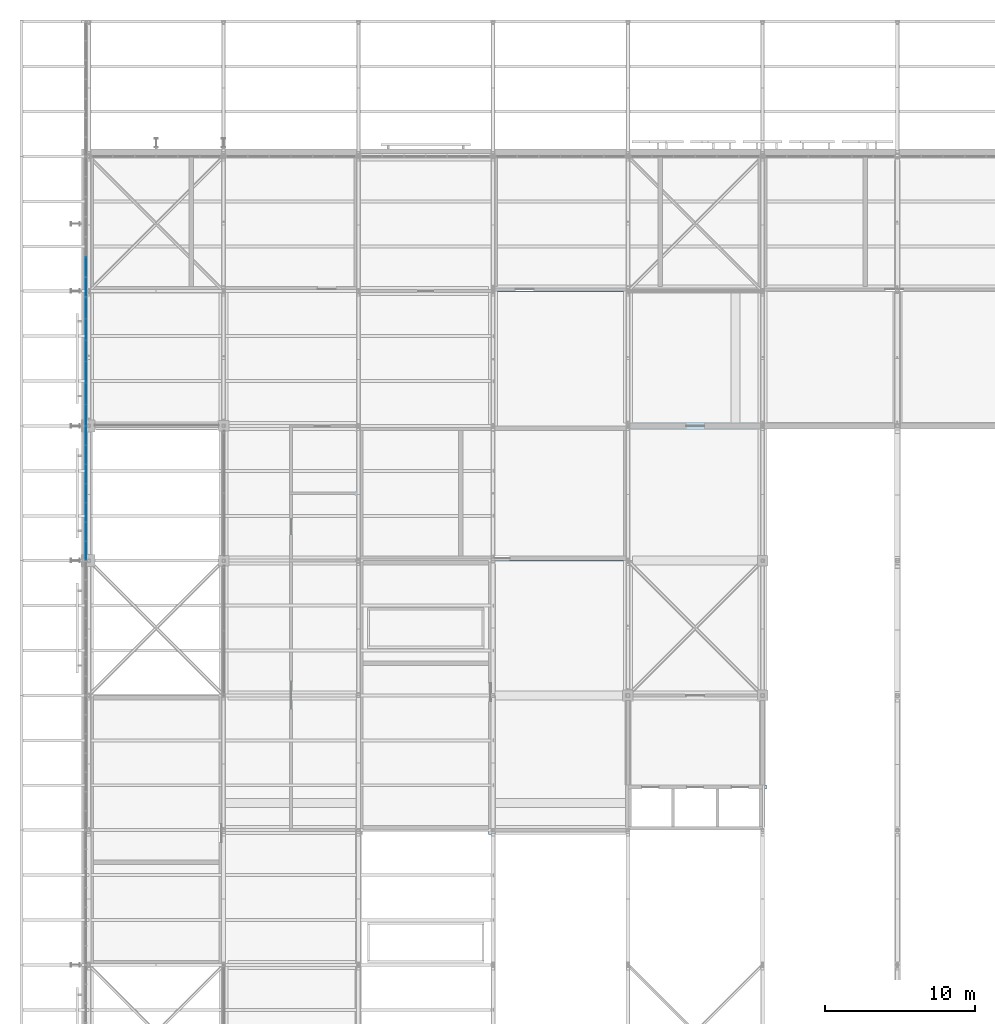
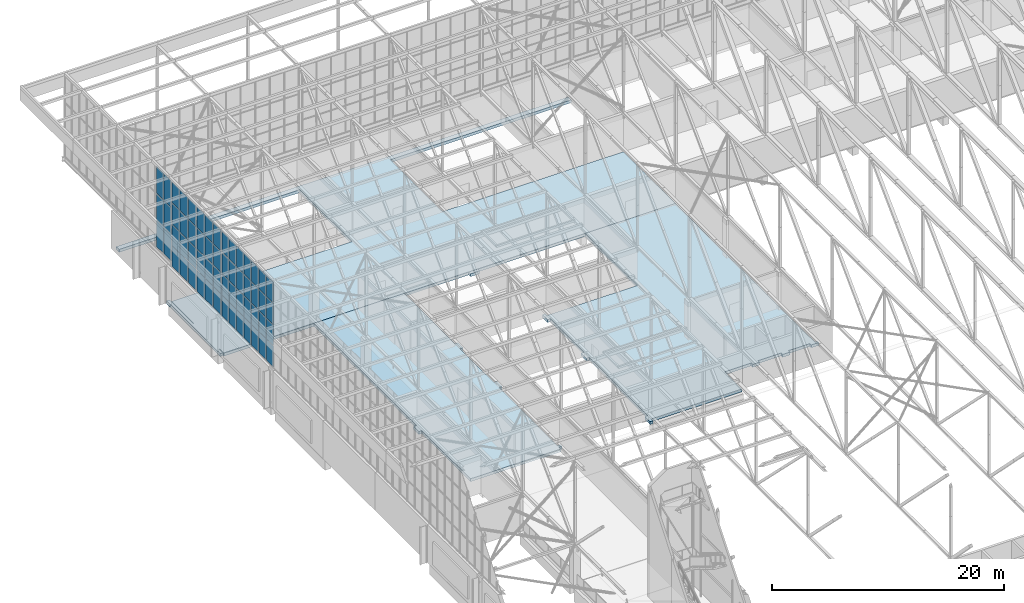
# One storey, part 150 of 646: 58 plates, 2 slabs, 3 elements without a shape of their own.
"""IFC4 building model written with IfcOpenShell, lengths in metres."""

from ifc_helpers import new_model, si_unit, direction, frame, origin, origin_2d, place, context, subcontext, project, spatial, polyline, rectangle, outline, extrude, material, layer, layer_set, type_object, element, aggregate, save


model = new_model("IFC4")

# Units and contexts
model_context = context("Model", 3, precision=1e-05, world=origin(), true_north=direction((0.0, 1.0)))
body_context = subcontext(model_context, "Body", "Model", "MODEL_VIEW")
ifc_project = project(units=[si_unit("LENGTHUNIT", "METRE"), si_unit("AREAUNIT", "SQUARE_METRE"), si_unit("VOLUMEUNIT", "CUBIC_METRE"), si_unit("PLANEANGLEUNIT", "RADIAN"), si_unit("MASSUNIT", "GRAM", prefix="KILO")], contexts=[model_context])

# Site, building, storey
site_placement = place(None, origin())
site = spatial("IfcSite", under=ifc_project, at=site_placement, CompositionType="ELEMENT")
building_placement = place(site_placement, origin())
building = spatial("IfcBuilding", under=site, at=building_placement, Name="Silverbay Arena", CompositionType="ELEMENT")
storey_placement = place(building_placement, frame((0.0, 0.0, 33.5)))
storey = spatial("IfcBuildingStorey", under=building, at=storey_placement, Name="L05", CompositionType="ELEMENT", Elevation=33.5)

# Curtain wall, plates
ifc_material_1 = material(Name="Aluminium framed glazing", Category="aluminium")
curtain_wall_type_1 = type_object("IfcCurtainWallType", Name="Curtain wall clerestory 9000 x 9000", PredefinedType="NOTDEFINED", material=ifc_material_1)
curtain_wall_1_placement = place(storey_placement, origin())
curtain_wall_1 = element("IfcCurtainWall", 1, at=curtain_wall_1_placement, inside=storey, type_object=curtain_wall_type_1, Name="ROOF GABLE CLERESTORY CURTAIN WALL west bay 13", PredefinedType="NOTDEFINED")
ifc_material_2 = material(Name="Laminated glass", Category="glass")
ifc_layer_1 = layer(ifc_material_2, 0.028076171875)
ifc_layer_set_1 = layer_set([ifc_layer_1], Name="Laminated glass")
plate_type = type_object("IfcPlateType", Name="Glass panel 28", PredefinedType="CURTAIN_PANEL", material=ifc_layer_set_1)
plate_1_placement = place(storey_placement, frame((53.820068359375, 117.657958984375, 4.0498046875), z_axis=(0.0, 0.0, 1.0), x_axis=(0.0, 1.0, 0.0)))
plate_1 = element("IfcPlate", 2, at=plate_1_placement, type_object=plate_type, Name="CW60 panel 1.1", PredefinedType="CURTAIN_PANEL", context=body_context, shape_type="SweptSolid", body=[
    extrude(rectangle(XDim=1.19580078125, YDim=0.028076171875, at=origin_2d()), origin(), (0.0, 0.0, 1.0), 2.175048828125),
])
plate_2_placement = place(storey_placement, frame((53.820068359375, 117.657958984375, 6.27490234375), z_axis=(0.0, 0.0, 1.0), x_axis=(0.0, 1.0, 0.0)))
plate_2 = element("IfcPlate", 3, at=plate_2_placement, type_object=plate_type, Name="CW60 panel 1.2", PredefinedType="CURTAIN_PANEL", context=body_context, shape_type="SweptSolid", body=[
    extrude(rectangle(XDim=1.19580078125, YDim=0.028076171875, at=origin_2d()), origin(), (0.0, 0.0, 1.0), 2.199951171875),
])
plate_3_placement = place(storey_placement, frame((53.820068359375, 117.657958984375, 8.52490234375), z_axis=(0.0, 0.0, 1.0), x_axis=(0.0, 1.0, 0.0)))
plate_3 = element("IfcPlate", 4, at=plate_3_placement, type_object=plate_type, Name="CW60 panel 1.3", PredefinedType="CURTAIN_PANEL", context=body_context, shape_type="SweptSolid", body=[
    extrude(rectangle(XDim=1.19580078125, YDim=0.028076171875, at=origin_2d()), origin(), (0.0, 0.0, 1.0), 2.199951171875),
])
plate_4_placement = place(storey_placement, frame((53.820068359375, 117.657958984375, 10.77490234375), z_axis=(0.0, 0.0, 1.0), x_axis=(0.0, 1.0, 0.0)))
plate_4 = element("IfcPlate", 5, at=plate_4_placement, type_object=plate_type, Name="CW60 panel 1.4", PredefinedType="CURTAIN_PANEL", context=body_context, shape_type="SweptSolid", body=[
    extrude(rectangle(XDim=1.19580078125, YDim=0.028076171875, at=origin_2d()), origin(), (0.0, 0.0, 1.0), 2.175048828125),
])
plate_5_placement = place(storey_placement, frame((53.820068359375, 118.928466796875, 4.0498046875), z_axis=(0.0, 0.0, 1.0), x_axis=(0.0, 1.0, 0.0)))
plate_5 = element("IfcPlate", 6, at=plate_5_placement, type_object=plate_type, Name="CW60 panel 2.1", PredefinedType="CURTAIN_PANEL", context=body_context, shape_type="SweptSolid", body=[
    extrude(rectangle(XDim=1.225830078125, YDim=0.028076171875, at=origin_2d()), origin(), (0.0, 0.0, 1.0), 2.175048828125),
])
plate_6_placement = place(storey_placement, frame((53.820068359375, 118.928466796875, 6.27490234375), z_axis=(0.0, 0.0, 1.0), x_axis=(0.0, 1.0, 0.0)))
plate_6 = element("IfcPlate", 7, at=plate_6_placement, type_object=plate_type, Name="CW60 panel 2.2", PredefinedType="CURTAIN_PANEL", context=body_context, shape_type="SweptSolid", body=[
    extrude(rectangle(XDim=1.225830078125, YDim=0.028076171875, at=origin_2d()), origin(), (0.0, 0.0, 1.0), 2.199951171875),
])
plate_7_placement = place(storey_placement, frame((53.820068359375, 118.928466796875, 8.52490234375), z_axis=(0.0, 0.0, 1.0), x_axis=(0.0, 1.0, 0.0)))
plate_7 = element("IfcPlate", 8, at=plate_7_placement, type_object=plate_type, Name="CW60 panel 2.3", PredefinedType="CURTAIN_PANEL", context=body_context, shape_type="SweptSolid", body=[
    extrude(rectangle(XDim=1.225830078125, YDim=0.028076171875, at=origin_2d()), origin(), (0.0, 0.0, 1.0), 2.199951171875),
])
plate_8_placement = place(storey_placement, frame((53.820068359375, 118.928466796875, 10.77490234375), z_axis=(0.0, 0.0, 1.0), x_axis=(0.0, 1.0, 0.0)))
plate_8 = element("IfcPlate", 9, at=plate_8_placement, type_object=plate_type, Name="CW60 panel 2.4", PredefinedType="CURTAIN_PANEL", context=body_context, shape_type="SweptSolid", body=[
    extrude(rectangle(XDim=1.225830078125, YDim=0.028076171875, at=origin_2d()), origin(), (0.0, 0.0, 1.0), 2.175048828125),
])
plate_9_placement = place(storey_placement, frame((53.820068359375, 120.21435546875, 4.0498046875), z_axis=(0.0, 0.0, 1.0), x_axis=(0.0, 1.0, 0.0)))
plate_9 = element("IfcPlate", 10, at=plate_9_placement, type_object=plate_type, Name="CW60 panel 3.1", PredefinedType="CURTAIN_PANEL", context=body_context, shape_type="SweptSolid", body=[
    extrude(rectangle(XDim=1.225830078125, YDim=0.028076171875, at=origin_2d()), origin(), (0.0, 0.0, 1.0), 2.175048828125),
])
plate_10_placement = place(storey_placement, frame((53.820068359375, 120.21435546875, 6.27490234375), z_axis=(0.0, 0.0, 1.0), x_axis=(0.0, 1.0, 0.0)))
plate_10 = element("IfcPlate", 11, at=plate_10_placement, type_object=plate_type, Name="CW60 panel 3.2", PredefinedType="CURTAIN_PANEL", context=body_context, shape_type="SweptSolid", body=[
    extrude(rectangle(XDim=1.225830078125, YDim=0.028076171875, at=origin_2d()), origin(), (0.0, 0.0, 1.0), 2.199951171875),
])
plate_11_placement = place(storey_placement, frame((53.820068359375, 120.21435546875, 8.52490234375), z_axis=(0.0, 0.0, 1.0), x_axis=(0.0, 1.0, 0.0)))
plate_11 = element("IfcPlate", 12, at=plate_11_placement, type_object=plate_type, Name="CW60 panel 3.3", PredefinedType="CURTAIN_PANEL", context=body_context, shape_type="SweptSolid", body=[
    extrude(rectangle(XDim=1.225830078125, YDim=0.028076171875, at=origin_2d()), origin(), (0.0, 0.0, 1.0), 2.199951171875),
])
plate_12_placement = place(storey_placement, frame((53.820068359375, 120.21435546875, 10.77490234375), z_axis=(0.0, 0.0, 1.0), x_axis=(0.0, 1.0, 0.0)))
plate_12 = element("IfcPlate", 13, at=plate_12_placement, type_object=plate_type, Name="CW60 panel 3.4", PredefinedType="CURTAIN_PANEL", context=body_context, shape_type="SweptSolid", body=[
    extrude(rectangle(XDim=1.225830078125, YDim=0.028076171875, at=origin_2d()), origin(), (0.0, 0.0, 1.0), 2.175048828125),
])
plate_13_placement = place(storey_placement, frame((53.820068359375, 121.5, 4.0498046875), z_axis=(0.0, 0.0, 1.0), x_axis=(0.0, 1.0, 0.0)))
plate_13 = element("IfcPlate", 14, at=plate_13_placement, type_object=plate_type, Name="CW60 panel 4.1", PredefinedType="CURTAIN_PANEL", context=body_context, shape_type="SweptSolid", body=[
    extrude(rectangle(XDim=1.225830078125, YDim=0.028076171875, at=origin_2d()), origin(), (0.0, 0.0, 1.0), 2.175048828125),
])
plate_14_placement = place(storey_placement, frame((53.820068359375, 121.5, 6.27490234375), z_axis=(0.0, 0.0, 1.0), x_axis=(0.0, 1.0, 0.0)))
plate_14 = element("IfcPlate", 15, at=plate_14_placement, type_object=plate_type, Name="CW60 panel 4.2", PredefinedType="CURTAIN_PANEL", context=body_context, shape_type="SweptSolid", body=[
    extrude(rectangle(XDim=1.225830078125, YDim=0.028076171875, at=origin_2d()), origin(), (0.0, 0.0, 1.0), 2.199951171875),
])
plate_15_placement = place(storey_placement, frame((53.820068359375, 121.5, 8.52490234375), z_axis=(0.0, 0.0, 1.0), x_axis=(0.0, 1.0, 0.0)))
plate_15 = element("IfcPlate", 16, at=plate_15_placement, type_object=plate_type, Name="CW60 panel 4.3", PredefinedType="CURTAIN_PANEL", context=body_context, shape_type="SweptSolid", body=[
    extrude(rectangle(XDim=1.225830078125, YDim=0.028076171875, at=origin_2d()), origin(), (0.0, 0.0, 1.0), 2.199951171875),
])
plate_16_placement = place(storey_placement, frame((53.820068359375, 121.5, 10.77490234375), z_axis=(0.0, 0.0, 1.0), x_axis=(0.0, 1.0, 0.0)))
plate_16 = element("IfcPlate", 17, at=plate_16_placement, type_object=plate_type, Name="CW60 panel 4.4", PredefinedType="CURTAIN_PANEL", context=body_context, shape_type="SweptSolid", body=[
    extrude(rectangle(XDim=1.225830078125, YDim=0.028076171875, at=origin_2d()), origin(), (0.0, 0.0, 1.0), 2.175048828125),
])
plate_17_placement = place(storey_placement, frame((53.820068359375, 122.78564453125, 4.0498046875), z_axis=(0.0, 0.0, 1.0), x_axis=(0.0, 1.0, 0.0)))
plate_17 = element("IfcPlate", 18, at=plate_17_placement, type_object=plate_type, Name="CW60 panel 5.1", PredefinedType="CURTAIN_PANEL", context=body_context, shape_type="SweptSolid", body=[
    extrude(rectangle(XDim=1.225830078125, YDim=0.028076171875, at=origin_2d()), origin(), (0.0, 0.0, 1.0), 2.175048828125),
])
plate_18_placement = place(storey_placement, frame((53.820068359375, 122.78564453125, 6.27490234375), z_axis=(0.0, 0.0, 1.0), x_axis=(0.0, 1.0, 0.0)))
plate_18 = element("IfcPlate", 19, at=plate_18_placement, type_object=plate_type, Name="CW60 panel 5.2", PredefinedType="CURTAIN_PANEL", context=body_context, shape_type="SweptSolid", body=[
    extrude(rectangle(XDim=1.225830078125, YDim=0.028076171875, at=origin_2d()), origin(), (0.0, 0.0, 1.0), 2.199951171875),
])
plate_19_placement = place(storey_placement, frame((53.820068359375, 122.78564453125, 8.52490234375), z_axis=(0.0, 0.0, 1.0), x_axis=(0.0, 1.0, 0.0)))
plate_19 = element("IfcPlate", 20, at=plate_19_placement, type_object=plate_type, Name="CW60 panel 5.3", PredefinedType="CURTAIN_PANEL", context=body_context, shape_type="SweptSolid", body=[
    extrude(rectangle(XDim=1.225830078125, YDim=0.028076171875, at=origin_2d()), origin(), (0.0, 0.0, 1.0), 2.199951171875),
])
plate_20_placement = place(storey_placement, frame((53.820068359375, 122.78564453125, 10.77490234375), z_axis=(0.0, 0.0, 1.0), x_axis=(0.0, 1.0, 0.0)))
plate_20 = element("IfcPlate", 21, at=plate_20_placement, type_object=plate_type, Name="CW60 panel 5.4", PredefinedType="CURTAIN_PANEL", context=body_context, shape_type="SweptSolid", body=[
    extrude(rectangle(XDim=1.225830078125, YDim=0.028076171875, at=origin_2d()), origin(), (0.0, 0.0, 1.0), 2.175048828125),
])
plate_21_placement = place(storey_placement, frame((53.820068359375, 124.071533203125, 4.0498046875), z_axis=(0.0, 0.0, 1.0), x_axis=(0.0, 1.0, 0.0)))
plate_21 = element("IfcPlate", 22, at=plate_21_placement, type_object=plate_type, Name="CW60 panel 6.1", PredefinedType="CURTAIN_PANEL", context=body_context, shape_type="SweptSolid", body=[
    extrude(rectangle(XDim=1.225830078125, YDim=0.028076171875, at=origin_2d()), origin(), (0.0, 0.0, 1.0), 2.175048828125),
])
plate_22_placement = place(storey_placement, frame((53.820068359375, 124.071533203125, 6.27490234375), z_axis=(0.0, 0.0, 1.0), x_axis=(0.0, 1.0, 0.0)))
plate_22 = element("IfcPlate", 23, at=plate_22_placement, type_object=plate_type, Name="CW60 panel 6.2", PredefinedType="CURTAIN_PANEL", context=body_context, shape_type="SweptSolid", body=[
    extrude(rectangle(XDim=1.225830078125, YDim=0.028076171875, at=origin_2d()), origin(), (0.0, 0.0, 1.0), 2.199951171875),
])
plate_23_placement = place(storey_placement, frame((53.820068359375, 124.071533203125, 8.52490234375), z_axis=(0.0, 0.0, 1.0), x_axis=(0.0, 1.0, 0.0)))
plate_23 = element("IfcPlate", 24, at=plate_23_placement, type_object=plate_type, Name="CW60 panel 6.3", PredefinedType="CURTAIN_PANEL", context=body_context, shape_type="SweptSolid", body=[
    extrude(rectangle(XDim=1.225830078125, YDim=0.028076171875, at=origin_2d()), origin(), (0.0, 0.0, 1.0), 2.199951171875),
])
plate_24_placement = place(storey_placement, frame((53.820068359375, 124.071533203125, 10.77490234375), z_axis=(0.0, 0.0, 1.0), x_axis=(0.0, 1.0, 0.0)))
plate_24 = element("IfcPlate", 25, at=plate_24_placement, type_object=plate_type, Name="CW60 panel 6.4", PredefinedType="CURTAIN_PANEL", context=body_context, shape_type="SweptSolid", body=[
    extrude(rectangle(XDim=1.225830078125, YDim=0.028076171875, at=origin_2d()), origin(), (0.0, 0.0, 1.0), 2.175048828125),
])
plate_25_placement = place(storey_placement, frame((53.820068359375, 125.342041015625, 4.0498046875), z_axis=(0.0, 0.0, 1.0), x_axis=(0.0, 1.0, 0.0)))
plate_25 = element("IfcPlate", 26, at=plate_25_placement, type_object=plate_type, Name="CW60 panel 7.1", PredefinedType="CURTAIN_PANEL", context=body_context, shape_type="SweptSolid", body=[
    extrude(rectangle(XDim=1.19580078125, YDim=0.028076171875, at=origin_2d()), origin(), (0.0, 0.0, 1.0), 2.175048828125),
])
plate_26_placement = place(storey_placement, frame((53.820068359375, 125.342041015625, 6.27490234375), z_axis=(0.0, 0.0, 1.0), x_axis=(0.0, 1.0, 0.0)))
plate_26 = element("IfcPlate", 27, at=plate_26_placement, type_object=plate_type, Name="CW60 panel 7.2", PredefinedType="CURTAIN_PANEL", context=body_context, shape_type="SweptSolid", body=[
    extrude(rectangle(XDim=1.19580078125, YDim=0.028076171875, at=origin_2d()), origin(), (0.0, 0.0, 1.0), 2.199951171875),
])
plate_27_placement = place(storey_placement, frame((53.820068359375, 125.342041015625, 8.52490234375), z_axis=(0.0, 0.0, 1.0), x_axis=(0.0, 1.0, 0.0)))
plate_27 = element("IfcPlate", 28, at=plate_27_placement, type_object=plate_type, Name="CW60 panel 7.3", PredefinedType="CURTAIN_PANEL", context=body_context, shape_type="SweptSolid", body=[
    extrude(rectangle(XDim=1.19580078125, YDim=0.028076171875, at=origin_2d()), origin(), (0.0, 0.0, 1.0), 2.199951171875),
])
plate_28_placement = place(storey_placement, frame((53.820068359375, 125.342041015625, 10.77490234375), z_axis=(0.0, 0.0, 1.0), x_axis=(0.0, 1.0, 0.0)))
plate_28 = element("IfcPlate", 29, at=plate_28_placement, type_object=plate_type, Name="CW60 panel 7.4", PredefinedType="CURTAIN_PANEL", context=body_context, shape_type="SweptSolid", body=[
    extrude(rectangle(XDim=1.19580078125, YDim=0.028076171875, at=origin_2d()), origin(), (0.0, 0.0, 1.0), 2.175048828125),
])
aggregate(curtain_wall_1, [plate_1, plate_2, plate_3, plate_4, plate_5, plate_6, plate_7, plate_8, plate_9, plate_10, plate_11, plate_12, plate_13, plate_14, plate_15, plate_16, plate_17, plate_18, plate_19, plate_20, plate_21, plate_22, plate_23, plate_24, plate_25, plate_26, plate_27, plate_28])

ifc_material_3 = material(Name="Aluminium framed glazing", Category="aluminium")
curtain_wall_type_2 = type_object("IfcCurtainWallType", Name="Curtain wall clerestory 8600 x 9000", PredefinedType="NOTDEFINED", material=ifc_material_3)
curtain_wall_2_placement = place(storey_placement, origin())
curtain_wall_2 = element("IfcCurtainWall", 30, at=curtain_wall_2_placement, inside=storey, type_object=curtain_wall_type_2, Name="ROOF GABLE CLERESTORY CURTAIN WALL west bay 14", PredefinedType="NOTDEFINED")
plate_29_placement = place(storey_placement, frame((53.820068359375, 126.731689453125, 4.0498046875), z_axis=(0.0, 0.0, 1.0), x_axis=(0.0, 1.0, 0.0)))
plate_29 = element("IfcPlate", 31, at=plate_29_placement, type_object=plate_type, Name="CW59 panel 1.1", PredefinedType="CURTAIN_PANEL", context=body_context, shape_type="SweptSolid", body=[
    extrude(rectangle(XDim=1.34326171875, YDim=0.028076171875, at=origin_2d()), origin(), (0.0, 0.0, 1.0), 2.175048828125),
])
plate_30_placement = place(storey_placement, frame((53.820068359375, 126.731689453125, 6.27490234375), z_axis=(0.0, 0.0, 1.0), x_axis=(0.0, 1.0, 0.0)))
plate_30 = element("IfcPlate", 32, at=plate_30_placement, type_object=plate_type, Name="CW59 panel 1.2", PredefinedType="CURTAIN_PANEL", context=body_context, shape_type="SweptSolid", body=[
    extrude(rectangle(XDim=1.34326171875, YDim=0.028076171875, at=origin_2d()), origin(), (0.0, 0.0, 1.0), 2.199951171875),
])
plate_31_placement = place(storey_placement, frame((53.820068359375, 126.731689453125, 8.52490234375), z_axis=(0.0, 0.0, 1.0), x_axis=(0.0, 1.0, 0.0)))
plate_31 = element("IfcPlate", 33, at=plate_31_placement, type_object=plate_type, Name="CW59 panel 1.3", PredefinedType="CURTAIN_PANEL", context=body_context, shape_type="SweptSolid", body=[
    extrude(rectangle(XDim=1.34326171875, YDim=0.028076171875, at=origin_2d()), origin(), (0.0, 0.0, 1.0), 2.199951171875),
])
plate_32_placement = place(storey_placement, frame((53.820068359375, 126.731689453125, 10.77490234375), z_axis=(0.0, 0.0, 1.0), x_axis=(0.0, 1.0, 0.0)))
plate_32 = element("IfcPlate", 34, at=plate_32_placement, type_object=plate_type, Name="CW59 panel 1.4", PredefinedType="CURTAIN_PANEL", context=body_context, shape_type="SweptSolid", body=[
    extrude(rectangle(XDim=1.34326171875, YDim=0.028076171875, at=origin_2d()), origin(), (0.0, 0.0, 1.0), 2.175048828125),
])
plate_33_placement = place(storey_placement, frame((53.820068359375, 128.14990234375, 4.0498046875), z_axis=(0.0, 0.0, 1.0), x_axis=(0.0, 1.0, 0.0)))
plate_33 = element("IfcPlate", 35, at=plate_33_placement, type_object=plate_type, Name="CW59 panel 2.1", PredefinedType="CURTAIN_PANEL", context=body_context, shape_type="SweptSolid", body=[
    extrude(rectangle(XDim=1.373291015625, YDim=0.028076171875, at=origin_2d()), origin(), (0.0, 0.0, 1.0), 2.175048828125),
])
plate_34_placement = place(storey_placement, frame((53.820068359375, 128.14990234375, 6.27490234375), z_axis=(0.0, 0.0, 1.0), x_axis=(0.0, 1.0, 0.0)))
plate_34 = element("IfcPlate", 36, at=plate_34_placement, type_object=plate_type, Name="CW59 panel 2.2", PredefinedType="CURTAIN_PANEL", context=body_context, shape_type="SweptSolid", body=[
    extrude(rectangle(XDim=1.373291015625, YDim=0.028076171875, at=origin_2d()), origin(), (0.0, 0.0, 1.0), 2.199951171875),
])
plate_35_placement = place(storey_placement, frame((53.820068359375, 128.14990234375, 8.52490234375), z_axis=(0.0, 0.0, 1.0), x_axis=(0.0, 1.0, 0.0)))
plate_35 = element("IfcPlate", 37, at=plate_35_placement, type_object=plate_type, Name="CW59 panel 2.3", PredefinedType="CURTAIN_PANEL", context=body_context, shape_type="SweptSolid", body=[
    extrude(rectangle(XDim=1.373291015625, YDim=0.028076171875, at=origin_2d()), origin(), (0.0, 0.0, 1.0), 2.199951171875),
])
plate_36_placement = place(storey_placement, frame((53.820068359375, 128.14990234375, 10.77490234375), z_axis=(0.0, 0.0, 1.0), x_axis=(0.0, 1.0, 0.0)))
plate_36 = element("IfcPlate", 38, at=plate_36_placement, type_object=plate_type, Name="CW59 panel 2.4", PredefinedType="CURTAIN_PANEL", context=body_context, shape_type="SweptSolid", body=[
    extrude(rectangle(XDim=1.373291015625, YDim=0.028076171875, at=origin_2d()), origin(), (0.0, 0.0, 1.0), 2.175048828125),
])
plate_37_placement = place(storey_placement, frame((53.820068359375, 129.583251953125, 4.0498046875), z_axis=(0.0, 0.0, 1.0), x_axis=(0.0, 1.0, 0.0)))
plate_37 = element("IfcPlate", 39, at=plate_37_placement, type_object=plate_type, Name="CW59 panel 3.1", PredefinedType="CURTAIN_PANEL", context=body_context, shape_type="SweptSolid", body=[
    extrude(rectangle(XDim=1.373291015625, YDim=0.028076171875, at=origin_2d()), origin(), (0.0, 0.0, 1.0), 2.175048828125),
])
plate_38_placement = place(storey_placement, frame((53.820068359375, 129.583251953125, 6.27490234375), z_axis=(0.0, 0.0, 1.0), x_axis=(0.0, 1.0, 0.0)))
plate_38 = element("IfcPlate", 40, at=plate_38_placement, type_object=plate_type, Name="CW59 panel 3.2", PredefinedType="CURTAIN_PANEL", context=body_context, shape_type="SweptSolid", body=[
    extrude(rectangle(XDim=1.373291015625, YDim=0.028076171875, at=origin_2d()), origin(), (0.0, 0.0, 1.0), 2.199951171875),
])
plate_39_placement = place(storey_placement, frame((53.820068359375, 129.583251953125, 8.52490234375), z_axis=(0.0, 0.0, 1.0), x_axis=(0.0, 1.0, 0.0)))
plate_39 = element("IfcPlate", 41, at=plate_39_placement, type_object=plate_type, Name="CW59 panel 3.3", PredefinedType="CURTAIN_PANEL", context=body_context, shape_type="SweptSolid", body=[
    extrude(rectangle(XDim=1.373291015625, YDim=0.028076171875, at=origin_2d()), origin(), (0.0, 0.0, 1.0), 2.199951171875),
])
plate_40_placement = place(storey_placement, frame((53.820068359375, 129.583251953125, 10.77490234375), z_axis=(0.0, 0.0, 1.0), x_axis=(0.0, 1.0, 0.0)))
plate_40 = element("IfcPlate", 42, at=plate_40_placement, type_object=plate_type, Name="CW59 panel 3.4", PredefinedType="CURTAIN_PANEL", context=body_context, shape_type="SweptSolid", body=[
    extrude(rectangle(XDim=1.373291015625, YDim=0.028076171875, at=origin_2d()), origin(), (0.0, 0.0, 1.0), 2.175048828125),
])
plate_41_placement = place(storey_placement, frame((53.820068359375, 131.0166015625, 4.0498046875), z_axis=(0.0, 0.0, 1.0), x_axis=(0.0, 1.0, 0.0)))
plate_41 = element("IfcPlate", 43, at=plate_41_placement, type_object=plate_type, Name="CW59 panel 4.1", PredefinedType="CURTAIN_PANEL", context=body_context, shape_type="SweptSolid", body=[
    extrude(rectangle(XDim=1.373291015625, YDim=0.028076171875, at=origin_2d()), origin(), (0.0, 0.0, 1.0), 2.175048828125),
])
plate_42_placement = place(storey_placement, frame((53.820068359375, 131.0166015625, 6.27490234375), z_axis=(0.0, 0.0, 1.0), x_axis=(0.0, 1.0, 0.0)))
plate_42 = element("IfcPlate", 44, at=plate_42_placement, type_object=plate_type, Name="CW59 panel 4.2", PredefinedType="CURTAIN_PANEL", context=body_context, shape_type="SweptSolid", body=[
    extrude(rectangle(XDim=1.373291015625, YDim=0.028076171875, at=origin_2d()), origin(), (0.0, 0.0, 1.0), 2.199951171875),
])
plate_43_placement = place(storey_placement, frame((53.820068359375, 131.0166015625, 8.52490234375), z_axis=(0.0, 0.0, 1.0), x_axis=(0.0, 1.0, 0.0)))
plate_43 = element("IfcPlate", 45, at=plate_43_placement, type_object=plate_type, Name="CW59 panel 4.3", PredefinedType="CURTAIN_PANEL", context=body_context, shape_type="SweptSolid", body=[
    extrude(rectangle(XDim=1.373291015625, YDim=0.028076171875, at=origin_2d()), origin(), (0.0, 0.0, 1.0), 2.199951171875),
])
plate_44_placement = place(storey_placement, frame((53.820068359375, 131.0166015625, 10.77490234375), z_axis=(0.0, 0.0, 1.0), x_axis=(0.0, 1.0, 0.0)))
plate_44 = element("IfcPlate", 46, at=plate_44_placement, type_object=plate_type, Name="CW59 panel 4.4", PredefinedType="CURTAIN_PANEL", context=body_context, shape_type="SweptSolid", body=[
    extrude(rectangle(XDim=1.373291015625, YDim=0.028076171875, at=origin_2d()), origin(), (0.0, 0.0, 1.0), 2.175048828125),
])
plate_45_placement = place(storey_placement, frame((53.820068359375, 132.449951171875, 4.0498046875), z_axis=(0.0, 0.0, 1.0), x_axis=(0.0, 1.0, 0.0)))
plate_45 = element("IfcPlate", 47, at=plate_45_placement, type_object=plate_type, Name="CW59 panel 5.1", PredefinedType="CURTAIN_PANEL", context=body_context, shape_type="SweptSolid", body=[
    extrude(rectangle(XDim=1.373291015625, YDim=0.028076171875, at=origin_2d()), origin(), (0.0, 0.0, 1.0), 2.175048828125),
])
plate_46_placement = place(storey_placement, frame((53.820068359375, 132.449951171875, 6.27490234375), z_axis=(0.0, 0.0, 1.0), x_axis=(0.0, 1.0, 0.0)))
plate_46 = element("IfcPlate", 48, at=plate_46_placement, type_object=plate_type, Name="CW59 panel 5.2", PredefinedType="CURTAIN_PANEL", context=body_context, shape_type="SweptSolid", body=[
    extrude(rectangle(XDim=1.373291015625, YDim=0.028076171875, at=origin_2d()), origin(), (0.0, 0.0, 1.0), 2.199951171875),
])
plate_47_placement = place(storey_placement, frame((53.820068359375, 132.449951171875, 8.52490234375), z_axis=(0.0, 0.0, 1.0), x_axis=(0.0, 1.0, 0.0)))
plate_47 = element("IfcPlate", 49, at=plate_47_placement, type_object=plate_type, Name="CW59 panel 5.3", PredefinedType="CURTAIN_PANEL", context=body_context, shape_type="SweptSolid", body=[
    extrude(rectangle(XDim=1.373291015625, YDim=0.028076171875, at=origin_2d()), origin(), (0.0, 0.0, 1.0), 2.199951171875),
])
plate_48_placement = place(storey_placement, frame((53.820068359375, 132.449951171875, 10.77490234375), z_axis=(0.0, 0.0, 1.0), x_axis=(0.0, 1.0, 0.0)))
plate_48 = element("IfcPlate", 50, at=plate_48_placement, type_object=plate_type, Name="CW59 panel 5.4", PredefinedType="CURTAIN_PANEL", context=body_context, shape_type="SweptSolid", body=[
    extrude(rectangle(XDim=1.373291015625, YDim=0.028076171875, at=origin_2d()), origin(), (0.0, 0.0, 1.0), 2.175048828125),
])
plate_49_placement = place(storey_placement, frame((53.820068359375, 133.868408203125, 4.0498046875), z_axis=(0.0, 0.0, 1.0), x_axis=(0.0, 1.0, 0.0)))
plate_49 = element("IfcPlate", 51, at=plate_49_placement, type_object=plate_type, Name="CW59 panel 6.1", PredefinedType="CURTAIN_PANEL", context=body_context, shape_type="SweptSolid", body=[
    extrude(rectangle(XDim=1.34326171875, YDim=0.028076171875, at=origin_2d()), origin(), (0.0, 0.0, 1.0), 2.175048828125),
])
plate_50_placement = place(storey_placement, frame((53.820068359375, 133.868408203125, 6.27490234375), z_axis=(0.0, 0.0, 1.0), x_axis=(0.0, 1.0, 0.0)))
plate_50 = element("IfcPlate", 52, at=plate_50_placement, type_object=plate_type, Name="CW59 panel 6.2", PredefinedType="CURTAIN_PANEL", context=body_context, shape_type="SweptSolid", body=[
    extrude(rectangle(XDim=1.34326171875, YDim=0.028076171875, at=origin_2d()), origin(), (0.0, 0.0, 1.0), 2.199951171875),
])
plate_51_placement = place(storey_placement, frame((53.820068359375, 133.868408203125, 8.52490234375), z_axis=(0.0, 0.0, 1.0), x_axis=(0.0, 1.0, 0.0)))
plate_51 = element("IfcPlate", 53, at=plate_51_placement, type_object=plate_type, Name="CW59 panel 6.3", PredefinedType="CURTAIN_PANEL", context=body_context, shape_type="SweptSolid", body=[
    extrude(rectangle(XDim=1.34326171875, YDim=0.028076171875, at=origin_2d()), origin(), (0.0, 0.0, 1.0), 2.199951171875),
])
plate_52_placement = place(storey_placement, frame((53.820068359375, 133.868408203125, 10.77490234375), z_axis=(0.0, 0.0, 1.0), x_axis=(0.0, 1.0, 0.0)))
plate_52 = element("IfcPlate", 54, at=plate_52_placement, type_object=plate_type, Name="CW59 panel 6.4", PredefinedType="CURTAIN_PANEL", context=body_context, shape_type="SweptSolid", body=[
    extrude(rectangle(XDim=1.34326171875, YDim=0.028076171875, at=origin_2d()), origin(), (0.0, 0.0, 1.0), 2.175048828125),
])
aggregate(curtain_wall_2, [plate_29, plate_30, plate_31, plate_32, plate_33, plate_34, plate_35, plate_36, plate_37, plate_38, plate_39, plate_40, plate_41, plate_42, plate_43, plate_44, plate_45, plate_46, plate_47, plate_48, plate_49, plate_50, plate_51, plate_52])

ifc_material_4 = material(Name="Aluminium framed glazing", Category="aluminium")
curtain_wall_type_3 = type_object("IfcCurtainWallType", Name="Curtain wall clerestory 9400 x 8547", PredefinedType="NOTDEFINED", material=ifc_material_4)
curtain_wall_3_placement = place(storey_placement, origin())
curtain_wall_3 = element("IfcCurtainWall", 55, at=curtain_wall_3_placement, inside=storey, type_object=curtain_wall_type_3, Name="ROOF GABLE CLERESTORY CURTAIN WALL west bay 15", PredefinedType="NOTDEFINED")
plate_53_placement = place(storey_placement, frame((53.820068359375, 135.286376953125, 4.50341796875), z_axis=(0.0, 0.0, 1.0), x_axis=(0.0, 1.0, 0.0)))
plate_53 = element("IfcPlate", 56, at=plate_53_placement, type_object=plate_type, Name="CW58 panel 1.1", PredefinedType="CURTAIN_PANEL", context=body_context, shape_type="SweptSolid", body=[
    extrude(rectangle(XDim=1.2529296875, YDim=0.028076171875, at=origin_2d()), origin(), (0.0, 0.0, 1.0), 2.77392578125),
])
plate_54_placement = place(storey_placement, frame((53.820068359375, 135.286376953125, 7.327392578125), z_axis=(0.0, 0.0, 1.0), x_axis=(0.0, 1.0, 0.0)))
plate_54 = element("IfcPlate", 57, at=plate_54_placement, type_object=plate_type, Name="CW58 panel 1.2", PredefinedType="CURTAIN_PANEL", context=body_context, shape_type="SweptSolid", body=[
    extrude(rectangle(XDim=1.2529296875, YDim=0.028076171875, at=origin_2d()), origin(), (0.0, 0.0, 1.0), 2.798828125),
])
plate_55_placement = place(storey_placement, frame((53.820068359375, 135.286376953125, 10.176025390625), z_axis=(0.0, 0.0, 1.0), x_axis=(0.0, 1.0, 0.0)))
plate_55 = element("IfcPlate", 58, at=plate_55_placement, type_object=plate_type, Name="CW58 panel 1.3", PredefinedType="CURTAIN_PANEL", context=body_context, shape_type="SweptSolid", body=[
    extrude(rectangle(XDim=1.2529296875, YDim=0.028076171875, at=origin_2d()), origin(), (0.0, 0.0, 1.0), 2.77392578125),
])
plate_56_placement = place(storey_placement, frame((53.820068359375, 136.6142578125, 4.50341796875), z_axis=(0.0, 0.0, 1.0), x_axis=(0.0, 1.0, 0.0)))
plate_56 = element("IfcPlate", 59, at=plate_56_placement, type_object=plate_type, Name="CW58 panel 2.1", PredefinedType="CURTAIN_PANEL", context=body_context, shape_type="SweptSolid", body=[
    extrude(rectangle(XDim=1.282958984375, YDim=0.028076171875, at=origin_2d()), origin(), (0.0, 0.0, 1.0), 2.77392578125),
])
plate_57_placement = place(storey_placement, frame((53.820068359375, 136.6142578125, 7.327392578125), z_axis=(0.0, 0.0, 1.0), x_axis=(0.0, 1.0, 0.0)))
plate_57 = element("IfcPlate", 60, at=plate_57_placement, type_object=plate_type, Name="CW58 panel 2.2", PredefinedType="CURTAIN_PANEL", context=body_context, shape_type="SweptSolid", body=[
    extrude(rectangle(XDim=1.282958984375, YDim=0.028076171875, at=origin_2d()), origin(), (0.0, 0.0, 1.0), 2.798828125),
])
plate_58_placement = place(storey_placement, frame((53.820068359375, 136.6142578125, 10.176025390625), z_axis=(0.0, 0.0, 1.0), x_axis=(0.0, 1.0, 0.0)))
plate_58 = element("IfcPlate", 61, at=plate_58_placement, type_object=plate_type, Name="CW58 panel 2.3", PredefinedType="CURTAIN_PANEL", context=body_context, shape_type="SweptSolid", body=[
    extrude(rectangle(XDim=1.282958984375, YDim=0.028076171875, at=origin_2d()), origin(), (0.0, 0.0, 1.0), 2.77392578125),
])
aggregate(curtain_wall_3, [plate_53, plate_54, plate_55, plate_56, plate_57, plate_58])

# Slabs
ifc_material_5 = material(Name="Concrete Grade C45", Category="concrete")
ifc_layer_2 = layer(ifc_material_5, 0.300048828125)
ifc_layer_set_2 = layer_set([ifc_layer_2], Name="Concrete Grade C45")
slab_type = type_object("IfcSlabType", Name="RC floor slab 300", PredefinedType="FLOOR", material=ifc_layer_set_2)
slab_1_placement = place(storey_placement, frame((0.0, 0.0, -0.300048828125)))
element("IfcSlab", 62, at=slab_1_placement, inside=storey, type_object=slab_type, Name="Floor slab L05 unit 8", PredefinedType="FLOOR", context=body_context, shape_type="SweptSolid", body=[
    extrude(outline(polyline([(63.0, 99.02490234375), (63.0, 107.39990234375), (62.699951171875, 107.39990234375), (62.699951171875, 108.300048828125), (63.0, 108.300048828125), (63.0, 126.0), (54.02490234375, 126.0), (54.02490234375, 126.02490234375), (99.0, 126.02490234375), (99.0, 102.0), (99.25, 102.0), (99.25, 101.75), (98.5, 101.75), (98.5, 102.0), (96.35009765625, 102.0), (96.35009765625, 101.75), (95.64990234375, 101.75), (95.64990234375, 102.0), (93.35009765625, 102.0), (93.35009765625, 101.75), (92.64990234375, 101.75), (92.64990234375, 102.0), (90.0, 102.0), (90.0, 99.02490234375), (81.0, 99.02490234375), (81.0, 98.72509765625), (80.699951171875, 98.72509765625), (80.699951171875, 99.60009765625), (81.0, 99.60009765625), (81.0, 109.699951171875), (80.699951171875, 109.699951171875), (80.699951171875, 110.60009765625), (81.0, 110.60009765625), (81.0, 116.39990234375), (80.699951171875, 116.39990234375), (80.699951171875, 117.300048828125), (81.0, 117.300048828125), (81.0, 117.0), (90.0, 117.0), (90.0, 126.0), (79.300048828125, 126.0), (79.300048828125, 125.699951171875), (78.39990234375, 125.699951171875), (78.39990234375, 126.0), (72.0, 126.0), (72.0, 117.300048828125), (72.300048828125, 117.300048828125), (72.300048828125, 116.39990234375), (72.0, 116.39990234375), (72.0, 110.60009765625), (72.300048828125, 110.60009765625), (72.300048828125, 109.699951171875), (72.0, 109.699951171875), (72.0, 99.60009765625), (72.300048828125, 99.60009765625), (72.300048828125, 99.324951171875), (72.0, 99.324951171875), (72.0, 99.02490234375), (63.0, 99.02490234375)])), origin(), (0.0, 0.0, 1.0), 0.300048828125),
])
slab_2_placement = place(storey_placement, frame((0.0, 0.0, -0.300048828125)))
element("IfcSlab", 63, at=slab_2_placement, inside=storey, type_object=slab_type, Name="Floor slab L05 unit 10", PredefinedType="FLOOR", context=body_context, shape_type="SweptSolid", body=[
    extrude(outline(polyline([(53.699951171875, 134.675048828125), (53.699951171875, 135.300048828125), (54.0, 135.300048828125), (54.0, 135.02490234375), (54.02490234375, 135.02490234375), (54.02490234375, 135.0), (72.0, 135.0), (72.0, 144.0), (54.02490234375, 144.0), (54.02490234375, 143.97509765625), (54.0, 143.97509765625), (54.0, 144.52490234375), (54.02490234375, 144.52490234375), (54.02490234375, 144.5), (99.0, 144.5), (99.0, 144.0), (81.0, 144.0), (81.0, 135.0), (99.0, 135.0), (99.0, 126.02490234375), (54.02490234375, 126.02490234375), (54.02490234375, 134.97509765625), (54.0, 134.97509765625), (54.0, 126.10009765625), (53.72509765625, 126.10009765625), (53.72509765625, 134.675048828125), (53.699951171875, 134.675048828125)])), origin(), (0.0, 0.0, 1.0), 0.300048828125),
])

save(model, "model.ifc")
